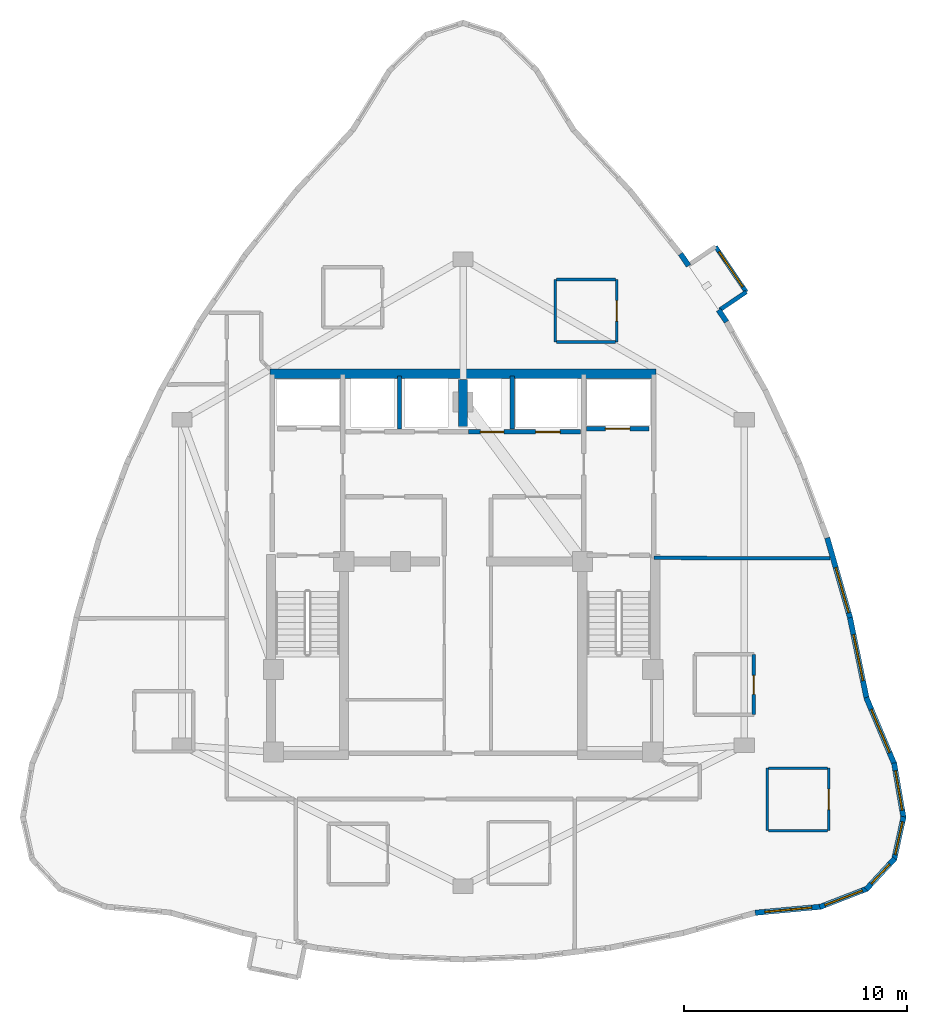
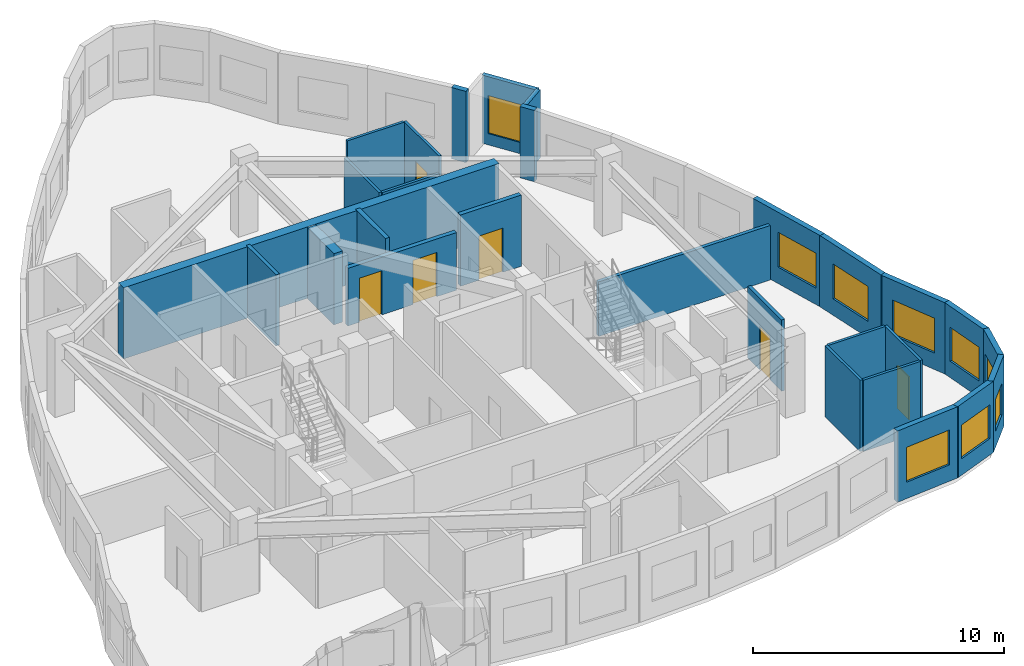
# One storey, part 8 of 10: 28 walls, 9 windows, 6 doors, 15 openings.
"""IFC4 building model written with IfcOpenShell, lengths in metres."""

from ifc_helpers import new_model, si_unit, direction, frame, frame_2d, origin, place, context, subcontext, project, spatial, rectangle, extrude, material, layer, layer_set, type_object, element, fill, save


model = new_model("IFC4")

# Units and contexts
model_context = context("Model", 3, precision=1e-05, world=origin(), true_north=direction((0.0, 1.0)))
body_context = subcontext(model_context, "Body", "Model", "MODEL_VIEW")
ifc_project = project(units=[si_unit("LENGTHUNIT", "METRE"), si_unit("AREAUNIT", "SQUARE_METRE"), si_unit("VOLUMEUNIT", "CUBIC_METRE"), si_unit("PLANEANGLEUNIT", "RADIAN"), si_unit("MASSUNIT", "GRAM", prefix="KILO")], contexts=[model_context])

# Site, building, storey
site_placement = place(None, origin())
site = spatial("IfcSite", under=ifc_project, at=site_placement, CompositionType="ELEMENT")
building_placement = place(site_placement, origin())
building = spatial("IfcBuilding", under=site, at=building_placement, Name="Miruveldt Soraemaru", CompositionType="ELEMENT")
storey_placement = place(building_placement, frame((0.0, 0.0, 278.949951171875)))
storey = spatial("IfcBuildingStorey", under=building, at=storey_placement, Name="L76", CompositionType="ELEMENT", Elevation=278.949951171875)

# Wall
ifc_material_1 = material(Name="White powder-coated aluminium EN AW-6060 T6", Category="aluminium")
ifc_layer_1 = layer(ifc_material_1, 0.18994140625, Name="White powder-coated aluminium EN AW-6060 T6", Category="aluminium")
ifc_layer_set_1 = layer_set([ifc_layer_1], Name="White powder-coated aluminium EN AW-6060 T6")
wall_type_1 = type_object("IfcWallType", Name="WALL-BAY-ALU190", PredefinedType="SOLIDWALL", material=ifc_layer_set_1)
wall_1_placement = place(storey_placement, frame((55.5087890625, 55.32421875, 0.0), z_axis=(0.0, 0.0, 1.0), x_axis=(0.827995667279, 0.560734495966, 0.0)))
element("IfcWall", 1, at=wall_1_placement, inside=storey, type_object=wall_type_1, Name="L76 Bay Window Side Cheek 2L", PredefinedType="SOLIDWALL", context=body_context, shape_type="SweptSolid", body=[
    extrude(rectangle(XDim=1.425048828125, YDim=0.18994140625, at=frame_2d((0.71240234375, 0.0))), origin(), (0.0, 0.0, 1.0), 3.320068359375),
])

# Wall, opening, window
wall_2_placement = place(storey_placement, frame((56.688720703125, 56.123291015625, 0.0), z_axis=(0.0, 0.0, 1.0), x_axis=(-0.560865757617, 0.827906759202, 0.0)))
wall_2 = element("IfcWall", 2, at=wall_2_placement, inside=storey, type_object=wall_type_1, Name="L76 Bay Window Front Frame 2", PredefinedType="SOLIDWALL", context=body_context, shape_type="SweptSolid", body=[
    extrude(rectangle(XDim=2.451904296875, YDim=0.18994140625, at=frame_2d((1.22607421875, 0.0))), origin(), (0.0, 0.0, 1.0), 3.320068359375),
])
opening_1_placement = place(wall_2_placement, frame((0.27587890625, 0.0, 0.550048828125)))
opening_1 = element("IfcOpeningElement", 3, at=opening_1_placement, cuts=wall_2, Name="Opening WN-6", PredefinedType="OPENING", context=body_context, shape_type="SweptSolid", body=[
    extrude(rectangle(XDim=1.89990234375, YDim=1.85009765625, at=frame_2d((0.949951171875, 0.925048828125))), frame((0.0, 0.10498046875, 0.0), z_axis=(0.0, -1.0, 0.0), x_axis=(1.0, 0.0, 0.0)), (0.0, 0.0, 1.0), 0.2099609375),
])
ifc_material_2 = material(Name="Triple low-e insulated glazing", Category="glass")
window_type_1 = type_object("IfcWindowType", Name="WIN-BAYW-1900x1850", PartitioningType="SINGLE_PANEL", PredefinedType="WINDOW", material=ifc_material_2)
window_1_placement = place(opening_1_placement, origin())
window_1 = element("IfcWindow", 4, at=window_1_placement, inside=storey, type_object=window_type_1, Name="L76 Projecting Bay Window 2", OverallHeight=1.85009765625, OverallWidth=1.89990234375, PartitioningType="SINGLE_PANEL", PredefinedType="WINDOW", context=body_context, shape_type="SweptSolid", body=[
    extrude(rectangle(XDim=1.89990234375, YDim=1.85009765625, at=frame_2d((0.949951171875, 0.925048828125))), frame((0.0, 0.030029296875, 0.0), z_axis=(0.0, -1.0, 0.0), x_axis=(1.0, 0.0, 0.0)), (0.0, 0.0, 1.0), 0.06005859375),
])
fill(opening_1, window_1)

# Walls
ifc_material_3 = material(Name="Concrete C70/85 (70 MPa)", Category="concrete")
ifc_layer_2 = layer(ifc_material_3, 0.5, Name="Concrete C70/85 (70 MPa)", Category="concrete")
ifc_layer_set_2 = layer_set([ifc_layer_2], Name="Concrete C70/85 (70 MPa)")
wall_type_2 = type_object("IfcWallType", Name="WALL-BW-500", PredefinedType="SHEAR", material=ifc_layer_set_2)
wall_3_placement = place(storey_placement, frame((44.0, 50.10009765625, 0.0), z_axis=(0.0, 0.0, 1.0), x_axis=(0.0, 1.0, 0.0)))
element("IfcWall", 5, at=wall_3_placement, inside=storey, type_object=wall_type_2, Name="L76 Core Buttress Shear Wall BN", PredefinedType="SHEAR", context=body_context, shape_type="SweptSolid", body=[
    extrude(rectangle(XDim=2.099853515625, YDim=0.39990234375, at=frame_2d((1.0498046875, 0.0))), origin(), (0.0, 0.0, 1.0), 3.469970703125),
])
ifc_material_4 = material(Name="Concrete C50/60 (50 MPa)", Category="concrete")
ifc_layer_3 = layer(ifc_material_4, 0.419921875, Name="Concrete C50/60 (50 MPa)", Category="concrete")
ifc_layer_set_3 = layer_set([ifc_layer_3], Name="Concrete C50/60 (50 MPa)")
wall_type_3 = type_object("IfcWallType", Name="WALL-CW-420", PredefinedType="SHEAR", material=ifc_layer_set_3)
wall_4_placement = place(storey_placement, frame((35.35009765625, 52.449951171875, 0.0), z_axis=(0.0, 0.0, 1.0), x_axis=(1.0, 0.0, 0.0)))
element("IfcWall", 6, at=wall_4_placement, inside=storey, type_object=wall_type_3, Name="L76 Central Core Shear Wall N", PredefinedType="SHEAR", context=body_context, shape_type="SweptSolid", body=[
    extrude(rectangle(XDim=17.2998046875, YDim=0.419921875, at=frame_2d((8.64990234375, 0.0))), origin(), (0.0, 0.0, 1.0), 3.469970703125),
])

# Wall, opening, window
ifc_material_5 = material(Name="Precast concrete C45/55 (45 MPa)", Category="concrete")
ifc_layer_4 = layer(ifc_material_5, 0.239990234375, Name="Precast concrete C45/55 (45 MPa)", Category="concrete")
ifc_layer_set_4 = layer_set([ifc_layer_4], Name="Precast concrete C45/55 (45 MPa)")
wall_type_4 = type_object("IfcWallType", Name="WALL-EXT-PC240", PredefinedType="SOLIDWALL", material=ifc_layer_set_4)
wall_5_placement = place(storey_placement, frame((57.09130859375, 28.30078125, 0.0), z_axis=(0.0, 0.0, 1.0), x_axis=(0.995760894982, 0.091979563083, 0.0)))
wall_5 = element("IfcWall", 7, at=wall_5_placement, inside=storey, type_object=wall_type_4, Name="L76 Precast Concrete Facade Wall 29", PredefinedType="SOLIDWALL", context=body_context, shape_type="SweptSolid", body=[
    extrude(rectangle(XDim=2.972900390625, YDim=0.239990234375, at=frame_2d((1.486328125, 0.0))), origin(), (0.0, 0.0, 1.0), 3.469970703125),
])
opening_2_placement = place(wall_5_placement, frame((0.43701171875, 0.0, 0.800048828125)))
opening_2 = element("IfcOpeningElement", 8, at=opening_2_placement, cuts=wall_5, Name="Opening WN-1", PredefinedType="OPENING", context=body_context, shape_type="SweptSolid", body=[
    extrude(rectangle(XDim=2.10009765625, YDim=1.699951171875, at=frame_2d((1.050048828125, 0.85009765625))), frame((0.0, 0.1298828125, 0.0), z_axis=(0.0, -1.0, 0.0), x_axis=(1.0, 0.0, 0.0)), (0.0, 0.0, 1.0), 0.260009765625),
])
window_type_2 = type_object("IfcWindowType", Name="WIN-PUNCH-2100x1700", PartitioningType="SINGLE_PANEL", PredefinedType="WINDOW", material=ifc_material_2)
window_2_placement = place(opening_2_placement, origin())
window_2 = element("IfcWindow", 9, at=window_2_placement, inside=storey, type_object=window_type_2, Name="L76 Punched Triple-Glazed Window 29.1", OverallHeight=1.699951171875, OverallWidth=2.10009765625, PartitioningType="SINGLE_PANEL", PredefinedType="WINDOW", context=body_context, shape_type="SweptSolid", body=[
    extrude(rectangle(XDim=2.10009765625, YDim=1.699951171875, at=frame_2d((1.050048828125, 0.85009765625))), frame((0.0, 0.030029296875, 0.0), z_axis=(0.0, -1.0, 0.0), x_axis=(1.0, 0.0, 0.0)), (0.0, 0.0, 1.0), 0.06005859375),
])
fill(opening_2, window_2)

wall_6_placement = place(storey_placement, frame((59.98388671875, 28.558349609375, 0.0), z_axis=(0.0, 0.0, 1.0), x_axis=(0.932281157428, 0.36173449311, 0.0)))
wall_6 = element("IfcWall", 10, at=wall_6_placement, inside=storey, type_object=wall_type_4, Name="L76 Precast Concrete Facade Wall 30", PredefinedType="SOLIDWALL", context=body_context, shape_type="SweptSolid", body=[
    extrude(rectangle(XDim=2.28466796875, YDim=0.239990234375, at=frame_2d((1.142333984375, 0.0))), origin(), (0.0, 0.0, 1.0), 3.469970703125),
])
opening_3_placement = place(wall_6_placement, frame((0.242919921875, 0.0, 0.800048828125)))
opening_3 = element("IfcOpeningElement", 11, at=opening_3_placement, cuts=wall_6, Name="Opening WN-2", PredefinedType="OPENING", context=body_context, shape_type="SweptSolid", body=[
    extrude(rectangle(XDim=1.800048828125, YDim=1.64990234375, at=frame_2d((0.89990234375, 0.824951171875))), frame((0.0, 0.1298828125, 0.0), z_axis=(0.0, -1.0, 0.0), x_axis=(1.0, 0.0, 0.0)), (0.0, 0.0, 1.0), 0.260009765625),
])
window_type_3 = type_object("IfcWindowType", Name="WIN-PUNCH-1800x1650", PartitioningType="SINGLE_PANEL", PredefinedType="WINDOW", material=ifc_material_2)
window_3_placement = place(opening_3_placement, origin())
window_3 = element("IfcWindow", 12, at=window_3_placement, inside=storey, type_object=window_type_3, Name="L76 Punched Triple-Glazed Window 30.1", OverallHeight=1.64990234375, OverallWidth=1.800048828125, PartitioningType="SINGLE_PANEL", PredefinedType="WINDOW", context=body_context, shape_type="SweptSolid", body=[
    extrude(rectangle(XDim=1.800048828125, YDim=1.64990234375, at=frame_2d((0.89990234375, 0.824951171875))), frame((0.0, 0.030029296875, 0.0), z_axis=(0.0, -1.0, 0.0), x_axis=(1.0, 0.0, 0.0)), (0.0, 0.0, 1.0), 0.06005859375),
])
fill(opening_3, window_3)

wall_7_placement = place(storey_placement, frame((62.057373046875, 29.34619140625, 0.0), z_axis=(0.0, 0.0, 1.0), x_axis=(0.680084659712, 0.73313358648, 0.0)))
wall_7 = element("IfcWall", 13, at=wall_7_placement, inside=storey, type_object=wall_type_4, Name="L76 Precast Concrete Facade Wall 31", PredefinedType="SOLIDWALL", context=body_context, shape_type="SweptSolid", body=[
    extrude(rectangle(XDim=1.8916015625, YDim=0.239990234375, at=frame_2d((0.94580078125, 0.0))), origin(), (0.0, 0.0, 1.0), 3.469970703125),
])
opening_4_placement = place(wall_7_placement, frame((0.345947265625, 0.0, 0.780029296875)))
opening_4 = element("IfcOpeningElement", 14, at=opening_4_placement, cuts=wall_7, Name="Opening WN-4", PredefinedType="OPENING", context=body_context, shape_type="SweptSolid", body=[
    extrude(rectangle(XDim=1.199951171875, YDim=1.550048828125, at=frame_2d((0.60009765625, 0.77490234375))), frame((0.0, 0.1298828125, 0.0), z_axis=(0.0, -1.0, 0.0), x_axis=(1.0, 0.0, 0.0)), (0.0, 0.0, 1.0), 0.260009765625),
])
window_type_4 = type_object("IfcWindowType", Name="WIN-PUNCH-1200x1550", PartitioningType="SINGLE_PANEL", PredefinedType="WINDOW", material=ifc_material_2)
window_4_placement = place(opening_4_placement, origin())
window_4 = element("IfcWindow", 15, at=window_4_placement, inside=storey, type_object=window_type_4, Name="L76 Punched Triple-Glazed Window 31.1", OverallHeight=1.550048828125, OverallWidth=1.199951171875, PartitioningType="SINGLE_PANEL", PredefinedType="WINDOW", context=body_context, shape_type="SweptSolid", body=[
    extrude(rectangle(XDim=1.199951171875, YDim=1.550048828125, at=frame_2d((0.60009765625, 0.77490234375))), frame((0.0, 0.030029296875, 0.0), z_axis=(0.0, -1.0, 0.0), x_axis=(1.0, 0.0, 0.0)), (0.0, 0.0, 1.0), 0.06005859375),
])
fill(opening_4, window_4)

wall_8_placement = place(storey_placement, frame((63.312255859375, 30.6728515625, 0.0), z_axis=(0.0, 0.0, 1.0), x_axis=(0.215809938712, 0.976435389748, 0.0)))
wall_8 = element("IfcWall", 16, at=wall_8_placement, inside=storey, type_object=wall_type_4, Name="L76 Precast Concrete Facade Wall 32", PredefinedType="SOLIDWALL", context=body_context, shape_type="SweptSolid", body=[
    extrude(rectangle(XDim=1.984375, YDim=0.239990234375, at=frame_2d((0.9921875, 0.0))), origin(), (0.0, 0.0, 1.0), 3.469970703125),
])
opening_5_placement = place(wall_8_placement, frame((0.241943359375, 0.0, 0.800048828125)))
opening_5 = element("IfcOpeningElement", 17, at=opening_5_placement, cuts=wall_8, Name="Opening WN-3", PredefinedType="OPENING", context=body_context, shape_type="SweptSolid", body=[
    extrude(rectangle(XDim=1.5, YDim=1.60009765625, at=frame_2d((0.75, 0.800048828125))), frame((0.0, 0.1298828125, 0.0), z_axis=(0.0, -1.0, 0.0), x_axis=(1.0, 0.0, 0.0)), (0.0, 0.0, 1.0), 0.260009765625),
])
window_type_5 = type_object("IfcWindowType", Name="WIN-PUNCH-1500x1600", PartitioningType="SINGLE_PANEL", PredefinedType="WINDOW", material=ifc_material_2)
window_5_placement = place(opening_5_placement, origin())
window_5 = element("IfcWindow", 18, at=window_5_placement, inside=storey, type_object=window_type_5, Name="L76 Punched Triple-Glazed Window 32.1", OverallHeight=1.60009765625, OverallWidth=1.5, PartitioningType="SINGLE_PANEL", PredefinedType="WINDOW", context=body_context, shape_type="SweptSolid", body=[
    extrude(rectangle(XDim=1.5, YDim=1.60009765625, at=frame_2d((0.75, 0.800048828125))), frame((0.0, 0.030029296875, 0.0), z_axis=(0.0, -1.0, 0.0), x_axis=(1.0, 0.0, 0.0)), (0.0, 0.0, 1.0), 0.06005859375),
])
fill(opening_5, window_5)

wall_9_placement = place(storey_placement, frame((63.73876953125, 32.541748046875, 0.0), z_axis=(0.0, 0.0, 1.0), x_axis=(-0.169352810019, 0.985555490948, 0.0)))
wall_9 = element("IfcWall", 19, at=wall_9_placement, inside=storey, type_object=wall_type_4, Name="L76 Precast Concrete Facade Wall 33", PredefinedType="SOLIDWALL", context=body_context, shape_type="SweptSolid", body=[
    extrude(rectangle(XDim=2.50830078125, YDim=0.239990234375, at=frame_2d((1.254150390625, 0.0))), origin(), (0.0, 0.0, 1.0), 3.469970703125),
])
opening_6_placement = place(wall_9_placement, frame((0.35400390625, 0.0, 0.800048828125)))
opening_6 = element("IfcOpeningElement", 20, at=opening_6_placement, cuts=wall_9, Name="Opening WN-2", PredefinedType="OPENING", context=body_context, shape_type="SweptSolid", body=[
    extrude(rectangle(XDim=1.800048828125, YDim=1.64990234375, at=frame_2d((0.89990234375, 0.824951171875))), frame((0.0, 0.1298828125, 0.0), z_axis=(0.0, -1.0, 0.0), x_axis=(1.0, 0.0, 0.0)), (0.0, 0.0, 1.0), 0.260009765625),
])
window_6_placement = place(opening_6_placement, origin())
window_6 = element("IfcWindow", 21, at=window_6_placement, inside=storey, type_object=window_type_3, Name="L76 Punched Triple-Glazed Window 33.1", OverallHeight=1.64990234375, OverallWidth=1.800048828125, PartitioningType="SINGLE_PANEL", PredefinedType="WINDOW", context=body_context, shape_type="SweptSolid", body=[
    extrude(rectangle(XDim=1.800048828125, YDim=1.64990234375, at=frame_2d((0.89990234375, 0.824951171875))), frame((0.0, 0.030029296875, 0.0), z_axis=(0.0, -1.0, 0.0), x_axis=(1.0, 0.0, 0.0)), (0.0, 0.0, 1.0), 0.06005859375),
])
fill(opening_6, window_6)

wall_10_placement = place(storey_placement, frame((63.33349609375, 34.947021484375, 0.0), z_axis=(0.0, 0.0, 1.0), x_axis=(-0.388603079175, 0.921405256581, 0.0)))
wall_10 = element("IfcWall", 22, at=wall_10_placement, inside=storey, type_object=wall_type_4, Name="L76 Precast Concrete Facade Wall 34", PredefinedType="SOLIDWALL", context=body_context, shape_type="SweptSolid", body=[
    extrude(rectangle(XDim=3.257568359375, YDim=0.239990234375, at=frame_2d((1.62890625, 0.0))), origin(), (0.0, 0.0, 1.0), 3.469970703125),
])
opening_7_placement = place(wall_10_placement, frame((0.5791015625, 0.0, 0.800048828125)))
opening_7 = element("IfcOpeningElement", 23, at=opening_7_placement, cuts=wall_10, Name="Opening WN-1", PredefinedType="OPENING", context=body_context, shape_type="SweptSolid", body=[
    extrude(rectangle(XDim=2.10009765625, YDim=1.699951171875, at=frame_2d((1.050048828125, 0.85009765625))), frame((0.0, 0.1298828125, 0.0), z_axis=(0.0, -1.0, 0.0), x_axis=(1.0, 0.0, 0.0)), (0.0, 0.0, 1.0), 0.260009765625),
])
window_7_placement = place(opening_7_placement, origin())
window_7 = element("IfcWindow", 24, at=window_7_placement, inside=storey, type_object=window_type_2, Name="L76 Punched Triple-Glazed Window 34.1", OverallHeight=1.699951171875, OverallWidth=2.10009765625, PartitioningType="SINGLE_PANEL", PredefinedType="WINDOW", context=body_context, shape_type="SweptSolid", body=[
    extrude(rectangle(XDim=2.10009765625, YDim=1.699951171875, at=frame_2d((1.050048828125, 0.85009765625))), frame((0.0, 0.030029296875, 0.0), z_axis=(0.0, -1.0, 0.0), x_axis=(1.0, 0.0, 0.0)), (0.0, 0.0, 1.0), 0.06005859375),
])
fill(opening_7, window_7)

wall_11_placement = place(storey_placement, frame((62.08837890625, 37.882080078125, 0.0), z_axis=(0.0, 0.0, 1.0), x_axis=(-0.201627466134, 0.979462283552, 0.0)))
wall_11 = element("IfcWall", 25, at=wall_11_placement, inside=storey, type_object=wall_type_4, Name="L76 Precast Concrete Facade Wall 35", PredefinedType="SOLIDWALL", context=body_context, shape_type="SweptSolid", body=[
    extrude(rectangle(XDim=3.788818359375, YDim=0.239990234375, at=frame_2d((1.89453125, 0.0))), origin(), (0.0, 0.0, 1.0), 3.469970703125),
])
opening_8_placement = place(wall_11_placement, frame((0.844970703125, 0.0, 0.800048828125)))
opening_8 = element("IfcOpeningElement", 26, at=opening_8_placement, cuts=wall_11, Name="Opening WN-1", PredefinedType="OPENING", context=body_context, shape_type="SweptSolid", body=[
    extrude(rectangle(XDim=2.10009765625, YDim=1.699951171875, at=frame_2d((1.050048828125, 0.85009765625))), frame((0.0, 0.1298828125, 0.0), z_axis=(0.0, -1.0, 0.0), x_axis=(1.0, 0.0, 0.0)), (0.0, 0.0, 1.0), 0.260009765625),
])
window_8_placement = place(opening_8_placement, origin())
window_8 = element("IfcWindow", 27, at=window_8_placement, inside=storey, type_object=window_type_2, Name="L76 Punched Triple-Glazed Window 35.1", OverallHeight=1.699951171875, OverallWidth=2.10009765625, PartitioningType="SINGLE_PANEL", PredefinedType="WINDOW", context=body_context, shape_type="SweptSolid", body=[
    extrude(rectangle(XDim=2.10009765625, YDim=1.699951171875, at=frame_2d((1.050048828125, 0.85009765625))), frame((0.0, 0.030029296875, 0.0), z_axis=(0.0, -1.0, 0.0), x_axis=(1.0, 0.0, 0.0)), (0.0, 0.0, 1.0), 0.06005859375),
])
fill(opening_8, window_8)

wall_12_placement = place(storey_placement, frame((61.34130859375, 41.52490234375, 0.0), z_axis=(0.0, 0.0, 1.0), x_axis=(-0.274963687582, 0.961454611779, 0.0)))
wall_12 = element("IfcWall", 28, at=wall_12_placement, inside=storey, type_object=wall_type_4, Name="L76 Precast Concrete Facade Wall 36", PredefinedType="SOLIDWALL", context=body_context, shape_type="SweptSolid", body=[
    extrude(rectangle(XDim=3.72216796875, YDim=0.239990234375, at=frame_2d((1.861083984375, 0.0))), origin(), (0.0, 0.0, 1.0), 3.469970703125),
])
opening_9_placement = place(wall_12_placement, frame((0.23193359375, 0.0, 0.800048828125)))
opening_9 = element("IfcOpeningElement", 29, at=opening_9_placement, cuts=wall_12, Name="Opening WN-1", PredefinedType="OPENING", context=body_context, shape_type="SweptSolid", body=[
    extrude(rectangle(XDim=2.10009765625, YDim=1.699951171875, at=frame_2d((1.050048828125, 0.85009765625))), frame((0.0, 0.1298828125, 0.0), z_axis=(0.0, -1.0, 0.0), x_axis=(1.0, 0.0, 0.0)), (0.0, 0.0, 1.0), 0.260009765625),
])
window_9_placement = place(opening_9_placement, origin())
window_9 = element("IfcWindow", 30, at=window_9_placement, inside=storey, type_object=window_type_2, Name="L76 Punched Triple-Glazed Window 36.1", OverallHeight=1.699951171875, OverallWidth=2.10009765625, PartitioningType="SINGLE_PANEL", PredefinedType="WINDOW", context=body_context, shape_type="SweptSolid", body=[
    extrude(rectangle(XDim=2.10009765625, YDim=1.699951171875, at=frame_2d((1.050048828125, 0.85009765625))), frame((0.0, 0.030029296875, 0.0), z_axis=(0.0, -1.0, 0.0), x_axis=(1.0, 0.0, 0.0)), (0.0, 0.0, 1.0), 0.06005859375),
])
fill(opening_9, window_9)

# Walls
for number, where, z_axis, x_axis, name in (
    (31, (55.806640625, 54.786376953125, 0.0), (0.0, 0.0, 1.0), (-0.560738864063, 0.827992709104, 0.0), "L76 Precast Pier Wall 40A"),
    (32, (54.10498046875, 57.298583984375, 0.0), (0.0, 0.0, 1.0), (-0.560738864063, 0.827992709104, 0.0), "L76 Precast Pier Wall 40B"),
):
    element("IfcWall", number, at=place(storey_placement, frame(where, z_axis=z_axis, x_axis=x_axis)), inside=storey, type_object=wall_type_4, Name=name, PredefinedType="SOLIDWALL", context=body_context, shape_type="SweptSolid", body=[
        extrude(rectangle(XDim=0.64208984375, YDim=0.239990234375, at=frame_2d((0.321044921875, 0.0))), origin(), (0.0, 0.0, 1.0), 3.469970703125),
    ])

# Wall, opening, door
ifc_material_6 = material(Name="Gypsum plasterboard lining", Category="gypsum")
ifc_layer_5 = layer(ifc_material_6, 0.1201171875, Name="Gypsum plasterboard lining", Category="gypsum")
ifc_layer_set_5 = layer_set([ifc_layer_5], Name="Gypsum plasterboard lining")
wall_type_5 = type_object("IfcWallType", Name="WALL-INT-P120", PredefinedType="PARTITIONING", material=ifc_layer_set_5)
wall_13_placement = place(storey_placement, frame((60.3798828125, 31.97998046875, 0.0), z_axis=(0.0, 0.0, 1.0), x_axis=(0.0, 1.0, 0.0)))
wall_13 = element("IfcWall", 33, at=wall_13_placement, inside=storey, type_object=wall_type_5, Name="L76 Partition Wall 40", PredefinedType="PARTITIONING", context=body_context, shape_type="SweptSolid", body=[
    extrude(rectangle(XDim=2.800048828125, YDim=0.1201171875, at=frame_2d((1.39990234375, 0.0))), origin(), (0.0, 0.0, 1.0), 3.469970703125),
])
opening_10_placement = place(wall_13_placement, frame((0.93994140625, 0.0, 0.0)))
opening_10 = element("IfcOpeningElement", 34, at=opening_10_placement, cuts=wall_13, Name="Opening D3A", PredefinedType="OPENING", context=body_context, shape_type="SweptSolid", body=[
    extrude(rectangle(XDim=0.919921875, YDim=2.10009765625, at=frame_2d((0.4599609375, 1.050048828125))), frame((0.0, 0.070068359375, 0.0), z_axis=(0.0, -1.0, 0.0), x_axis=(1.0, 0.0, 0.0)), (0.0, 0.0, 1.0), 0.14013671875),
])
ifc_material_7 = material(Name="Anodised aluminium EN AW-6063 T6", Category="aluminium")
door_type_1 = type_object("IfcDoorType", Name="DOOR-INT-920", OperationType="NOTDEFINED", PredefinedType="DOOR", material=ifc_material_7)
door_1_placement = place(opening_10_placement, origin())
door_1 = element("IfcDoor", 35, at=door_1_placement, inside=storey, type_object=door_type_1, Name="L76 Unit CL06 KIT Door", OperationType="SINGLE_SWING_LEFT", OverallHeight=2.10009765625, OverallWidth=0.919921875, PredefinedType="DOOR", context=body_context, shape_type="SweptSolid", body=[
    extrude(rectangle(XDim=0.919921875, YDim=2.10009765625, at=frame_2d((0.4599609375, 1.050048828125))), frame((0.0, 0.02490234375, 0.0), z_axis=(0.0, -1.0, 0.0), x_axis=(1.0, 0.0, 0.0)), (0.0, 0.0, 1.0), 0.050048828125),
])
fill(opening_10, door_1)

wall_14_placement = place(storey_placement, frame((50.8779296875, 53.8798828125, 0.0), z_axis=(0.0, 0.0, 1.0), x_axis=(0.0, 1.0, 0.0)))
wall_14 = element("IfcWall", 36, at=wall_14_placement, inside=storey, type_object=wall_type_5, Name="L76 Partition Wall 15", PredefinedType="PARTITIONING", context=body_context, shape_type="SweptSolid", body=[
    extrude(rectangle(XDim=2.800048828125, YDim=0.1201171875, at=frame_2d((1.39990234375, 0.0))), origin(), (0.0, 0.0, 1.0), 3.469970703125),
])
opening_11_placement = place(wall_14_placement, frame((0.93994140625, 0.0, 0.0)))
opening_11 = element("IfcOpeningElement", 37, at=opening_11_placement, cuts=wall_14, Name="Opening D3A", PredefinedType="OPENING", context=body_context, shape_type="SweptSolid", body=[
    extrude(rectangle(XDim=0.919921875, YDim=2.10009765625, at=frame_2d((0.4599609375, 1.050048828125))), frame((0.0, 0.070068359375, 0.0), z_axis=(0.0, -1.0, 0.0), x_axis=(1.0, 0.0, 0.0)), (0.0, 0.0, 1.0), 0.14013671875),
])
door_2_placement = place(opening_11_placement, origin())
door_2 = element("IfcDoor", 38, at=door_2_placement, inside=storey, type_object=door_type_1, Name="L76 Unit CL01 KIT Door", OperationType="SINGLE_SWING_RIGHT", OverallHeight=2.10009765625, OverallWidth=0.919921875, PredefinedType="DOOR", context=body_context, shape_type="SweptSolid", body=[
    extrude(rectangle(XDim=0.919921875, YDim=2.10009765625, at=frame_2d((0.4599609375, 1.050048828125))), frame((0.0, 0.02490234375, 0.0), z_axis=(0.0, -1.0, 0.0), x_axis=(1.0, 0.0, 0.0)), (0.0, 0.0, 1.0), 0.050048828125),
])
fill(opening_11, door_2)

# Walls
wall_15_placement = place(storey_placement, frame((57.6298828125, 34.780029296875, 0.0), z_axis=(0.0, 0.0, 1.0), x_axis=(0.0, -1.0, 0.0)))
element("IfcWall", 39, at=wall_15_placement, inside=storey, type_object=wall_type_5, Name="L76 Partition Wall 42", PredefinedType="PARTITIONING", context=body_context, shape_type="SweptSolid", body=[
    extrude(rectangle(XDim=2.800048828125, YDim=0.1201171875, at=frame_2d((1.39990234375, 0.0))), origin(), (0.0, 0.0, 1.0), 3.469970703125),
])
wall_16_placement = place(storey_placement, frame((48.1279296875, 56.679931640625, 0.0), z_axis=(0.0, 0.0, 1.0), x_axis=(0.0, -1.0, 0.0)))
element("IfcWall", 40, at=wall_16_placement, inside=storey, type_object=wall_type_5, Name="L76 Partition Wall 17", PredefinedType="PARTITIONING", context=body_context, shape_type="SweptSolid", body=[
    extrude(rectangle(XDim=2.800048828125, YDim=0.1201171875, at=frame_2d((1.39990234375, 0.0))), origin(), (0.0, 0.0, 1.0), 2.657958984375),
])
for number, where, z_axis, x_axis, name in (
    (41, (60.320068359375, 34.780029296875, 0.0), (0.0, 0.0, 1.0), (-1.0, 0.0, 0.0), "L76 Partition Wall 41"),
    (42, (57.68994140625, 31.97998046875, 0.0), (0.0, 0.0, 1.0), (1.0, 0.0, 0.0), "L76 Partition Wall 43"),
    (43, (50.818115234375, 56.679931640625, 0.0), (0.0, 0.0, 1.0), (-1.0, 0.0, 0.0), "L76 Partition Wall 16"),
):
    element("IfcWall", number, at=place(storey_placement, frame(where, z_axis=z_axis, x_axis=x_axis)), inside=storey, type_object=wall_type_5, Name=name, PredefinedType="PARTITIONING", context=body_context, shape_type="SweptSolid", body=[
        extrude(rectangle(XDim=2.630126953125, YDim=0.1201171875, at=frame_2d((1.31494140625, 0.0))), origin(), (0.0, 0.0, 1.0), 3.469970703125),
    ])
wall_17_placement = place(storey_placement, frame((48.18798828125, 53.8798828125, 0.0), z_axis=(0.0, 0.0, 1.0), x_axis=(1.0, 0.0, 0.0)))
element("IfcWall", 44, at=wall_17_placement, inside=storey, type_object=wall_type_5, Name="L76 Partition Wall 18", PredefinedType="PARTITIONING", context=body_context, shape_type="SweptSolid", body=[
    extrude(rectangle(XDim=2.630126953125, YDim=0.1201171875, at=frame_2d((1.31494140625, 0.0))), origin(), (0.0, 0.0, 1.0), 2.657958984375),
])

# Wall, opening, door
ifc_layer_6 = layer(ifc_material_6, 0.14990234375, Name="Gypsum plasterboard lining", Category="gypsum")
ifc_layer_set_6 = layer_set([ifc_layer_6], Name="Gypsum plasterboard lining")
wall_type_6 = type_object("IfcWallType", Name="WALL-INT-PLUMB", PredefinedType="PLUMBINGWALL", material=ifc_layer_set_6)
wall_18_placement = place(storey_placement, frame((57.030029296875, 37.179931640625, 0.0), z_axis=(0.0, 0.0, 1.0), x_axis=(0.0, 1.0, 0.0)))
wall_18 = element("IfcWall", 45, at=wall_18_placement, inside=storey, type_object=wall_type_6, Name="L76 Partition Wall 36", PredefinedType="PLUMBINGWALL", context=body_context, shape_type="SweptSolid", body=[
    extrude(rectangle(XDim=2.699951171875, YDim=0.14990234375, at=frame_2d((1.35009765625, 0.0))), origin(), (0.0, 0.0, 1.0), 3.469970703125),
])
opening_12_placement = place(wall_18_placement, frame((0.909912109375, 0.0, 0.0)))
opening_12 = element("IfcOpeningElement", 46, at=opening_12_placement, cuts=wall_18, Name="Opening FD3", PredefinedType="OPENING", context=body_context, shape_type="SweptSolid", body=[
    extrude(rectangle(XDim=0.85009765625, YDim=2.10009765625, at=frame_2d((0.425048828125, 1.050048828125))), frame((0.0, 0.0849609375, 0.0), z_axis=(0.0, -1.0, 0.0), x_axis=(1.0, 0.0, 0.0)), (0.0, 0.0, 1.0), 0.169921875),
])
door_type_2 = type_object("IfcDoorType", Name="DOOR-FD3-850", OperationType="NOTDEFINED", PredefinedType="DOOR", material=ifc_material_7)
door_3_placement = place(opening_12_placement, origin())
door_3 = element("IfcDoor", 47, at=door_3_placement, inside=storey, type_object=door_type_2, Name="L76 Unit CL06 BTH Door", OperationType="SINGLE_SWING_RIGHT", OverallHeight=2.10009765625, OverallWidth=0.85009765625, PredefinedType="DOOR", context=body_context, shape_type="SweptSolid", body=[
    extrude(rectangle(XDim=0.85009765625, YDim=2.10009765625, at=frame_2d((0.425048828125, 1.050048828125))), frame((0.0, 0.02490234375, 0.0), z_axis=(0.0, -1.0, 0.0), x_axis=(1.0, 0.0, 0.0)), (0.0, 0.0, 1.0), 0.050048828125),
])
fill(opening_12, door_3)

# Walls
ifc_material_8 = material(Name="Concrete C40/50 (40 MPa)", Category="concrete")
ifc_layer_7 = layer(ifc_material_8, 0.159912109375, Name="Concrete C40/50 (40 MPa)", Category="concrete")
ifc_layer_set_7 = layer_set([ifc_layer_7], Name="Concrete C40/50 (40 MPa)")
wall_type_7 = type_object("IfcWallType", Name="WALL-INT-RC160", PredefinedType="SOLIDWALL", material=ifc_layer_set_7)
wall_19_placement = place(storey_placement, frame((52.550048828125, 44.20556640625, 0.0), z_axis=(0.0, 0.0, 1.0), x_axis=(0.999996621964, -0.002599242388, 0.0)))
element("IfcWall", 48, at=wall_19_placement, inside=storey, type_object=wall_type_7, Name="L76 Partition Wall 20", PredefinedType="SOLIDWALL", context=body_context, shape_type="SweptSolid", body=[
    extrude(rectangle(XDim=7.889892578125, YDim=0.159912109375, at=frame_2d((3.94482421875, 0.0))), origin(), (0.0, 0.0, 1.0), 2.657958984375),
])
wall_20_placement = place(storey_placement, frame((41.14990234375, 49.97998046875, 0.0), z_axis=(0.0, 0.0, 1.0), x_axis=(0.0, 1.0, 0.0)))
element("IfcWall", 49, at=wall_20_placement, inside=storey, type_object=wall_type_7, Name="L76 Core Compartment Wall PLH-DIV1", PredefinedType="SOLIDWALL", context=body_context, shape_type="SweptSolid", body=[
    extrude(rectangle(XDim=2.3701171875, YDim=0.159912109375, at=frame_2d((1.18505859375, 0.0))), origin(), (0.0, 0.0, 1.0), 3.469970703125),
])

# Wall, openings, doors
ifc_layer_8 = layer(ifc_material_8, 0.199951171875, Name="Concrete C40/50 (40 MPa)", Category="concrete")
ifc_layer_set_8 = layer_set([ifc_layer_8], Name="Concrete C40/50 (40 MPa)")
wall_type_8 = type_object("IfcWallType", Name="WALL-INT-RC200", PredefinedType="SOLIDWALL", material=ifc_layer_set_8)
wall_21_placement = place(storey_placement, frame((44.25, 49.85009765625, 0.0), z_axis=(0.0, 0.0, 1.0), x_axis=(1.0, 0.0, 0.0)))
wall_21 = element("IfcWall", 50, at=wall_21_placement, inside=storey, type_object=wall_type_8, Name="L76 Core Compartment Wall ROWA-SE", PredefinedType="SOLIDWALL", context=body_context, shape_type="SweptSolid", body=[
    extrude(rectangle(XDim=5.0, YDim=0.199951171875, at=frame_2d((2.5, 0.0))), origin(), (0.0, 0.0, 1.0), 2.80810546875),
])
opening_13_placement = place(wall_21_placement, frame((0.52490234375, 0.0, 0.0)))
opening_13 = element("IfcOpeningElement", 51, at=opening_13_placement, cuts=wall_21, Name="Opening LD1", PredefinedType="OPENING", context=body_context, shape_type="SweptSolid", body=[
    extrude(rectangle(XDim=1.050048828125, YDim=2.14990234375, at=frame_2d((0.52490234375, 1.074951171875))), frame((0.0, 0.10986328125, 0.0), z_axis=(0.0, -1.0, 0.0), x_axis=(1.0, 0.0, 0.0)), (0.0, 0.0, 1.0), 0.219970703125),
])
opening_14_placement = place(wall_21_placement, frame((3.0, 0.0, 0.0)))
opening_14 = element("IfcOpeningElement", 52, at=opening_14_placement, cuts=wall_21, Name="Opening LD2", PredefinedType="OPENING", context=body_context, shape_type="SweptSolid", body=[
    extrude(rectangle(XDim=1.10009765625, YDim=2.14990234375, at=frame_2d((0.550048828125, 1.074951171875))), frame((0.0, 0.10986328125, 0.0), z_axis=(0.0, -1.0, 0.0), x_axis=(1.0, 0.0, 0.0)), (0.0, 0.0, 1.0), 0.219970703125),
])
door_type_3 = type_object("IfcDoorType", Name="DOOR-LD1-1050", OperationType="SLIDING_TO_LEFT", PredefinedType="DOOR", material=ifc_material_7)
door_4_placement = place(opening_13_placement, origin())
door_4 = element("IfcDoor", 53, at=door_4_placement, inside=storey, type_object=door_type_3, Name="L76 PL-H3 Landing Door", OperationType="SLIDING_TO_LEFT", OverallHeight=2.14990234375, OverallWidth=1.050048828125, PredefinedType="DOOR", context=body_context, shape_type="SweptSolid", body=[
    extrude(rectangle(XDim=1.050048828125, YDim=2.14990234375, at=frame_2d((0.52490234375, 1.074951171875))), frame((0.0, 0.02490234375, 0.0), z_axis=(0.0, -1.0, 0.0), x_axis=(1.0, 0.0, 0.0)), (0.0, 0.0, 1.0), 0.050048828125),
])
fill(opening_13, door_4)
door_type_4 = type_object("IfcDoorType", Name="DOOR-LD2-1100", OperationType="SLIDING_TO_LEFT", PredefinedType="DOOR", material=ifc_material_7)
door_5_placement = place(opening_14_placement, origin())
door_5 = element("IfcDoor", 54, at=door_5_placement, inside=storey, type_object=door_type_4, Name="L76 SL-1 Landing Door", OperationType="SLIDING_TO_LEFT", OverallHeight=2.14990234375, OverallWidth=1.10009765625, PredefinedType="DOOR", context=body_context, shape_type="SweptSolid", body=[
    extrude(rectangle(XDim=1.10009765625, YDim=2.14990234375, at=frame_2d((0.550048828125, 1.074951171875))), frame((0.0, 0.02490234375, 0.0), z_axis=(0.0, -1.0, 0.0), x_axis=(1.0, 0.0, 0.0)), (0.0, 0.0, 1.0), 0.050048828125),
])
fill(opening_14, door_5)

# Wall, opening, door
wall_22_placement = place(storey_placement, frame((49.52001953125, 50.0, 0.0), z_axis=(0.0, 0.0, 1.0), x_axis=(1.0, 0.0, 0.0)))
wall_22 = element("IfcWall", 55, at=wall_22_placement, inside=storey, type_object=wall_type_8, Name="L76 Core Compartment Wall FFL2-S", PredefinedType="SOLIDWALL", context=body_context, shape_type="SweptSolid", body=[
    extrude(rectangle(XDim=2.800048828125, YDim=0.199951171875, at=frame_2d((1.39990234375, 0.0))), origin(), (0.0, 0.0, 1.0), 3.469970703125),
])
opening_15_placement = place(wall_22_placement, frame((0.85009765625, 0.0, 0.0)))
opening_15 = element("IfcOpeningElement", 56, at=opening_15_placement, cuts=wall_22, Name="Opening LD2", PredefinedType="OPENING", context=body_context, shape_type="SweptSolid", body=[
    extrude(rectangle(XDim=1.10009765625, YDim=2.14990234375, at=frame_2d((0.550048828125, 1.074951171875))), frame((0.0, 0.10986328125, 0.0), z_axis=(0.0, -1.0, 0.0), x_axis=(1.0, 0.0, 0.0)), (0.0, 0.0, 1.0), 0.219970703125),
])
door_6_placement = place(opening_15_placement, origin())
door_6 = element("IfcDoor", 57, at=door_6_placement, inside=storey, type_object=door_type_4, Name="L76 FFL-2 Landing Door", OperationType="SLIDING_TO_LEFT", OverallHeight=2.14990234375, OverallWidth=1.10009765625, PredefinedType="DOOR", context=body_context, shape_type="SweptSolid", body=[
    extrude(rectangle(XDim=1.10009765625, YDim=2.14990234375, at=frame_2d((0.550048828125, 1.074951171875))), frame((0.0, 0.02490234375, 0.0), z_axis=(0.0, -1.0, 0.0), x_axis=(1.0, 0.0, 0.0)), (0.0, 0.0, 1.0), 0.050048828125),
])
fill(opening_15, door_6)

# Wall
wall_23_placement = place(storey_placement, frame((46.199951171875, 49.97998046875, 0.0), z_axis=(0.0, 0.0, 1.0), x_axis=(0.0, 1.0, 0.0)))
element("IfcWall", 58, at=wall_23_placement, inside=storey, type_object=wall_type_8, Name="L76 Core Compartment Wall PLH-SL-DIV", PredefinedType="SOLIDWALL", context=body_context, shape_type="SweptSolid", body=[
    extrude(rectangle(XDim=2.3701171875, YDim=0.199951171875, at=frame_2d((1.18505859375, 0.0))), origin(), (0.0, 0.0, 1.0), 3.469970703125),
])

save(model, "model.ifc")
